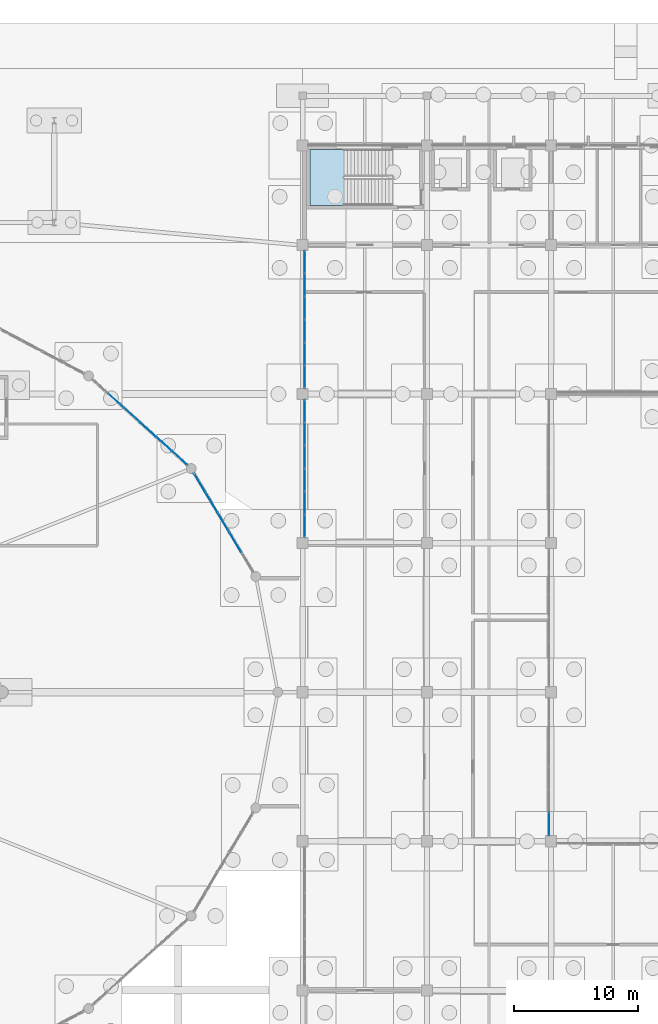
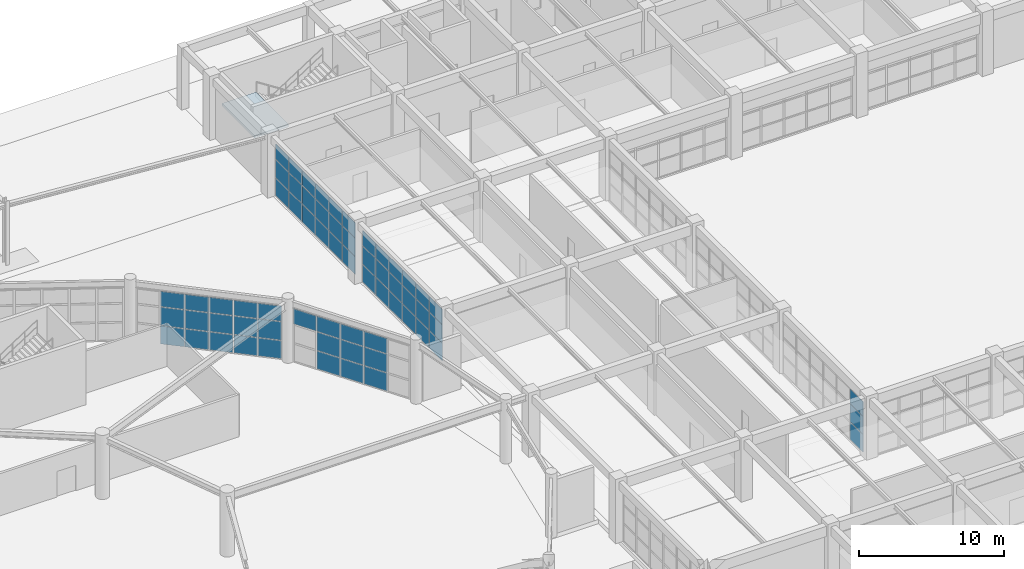
# One storey, part 70 of 99: 64 plates, 1 slab, 6 elements without a shape of their own.
"""IFC4 building model written with IfcOpenShell, lengths in metres."""

from ifc_helpers import new_model, si_unit, direction, frame, origin, origin_2d, place, context, subcontext, project, spatial, polyline, rectangle, outline, extrude, material, layer, layer_set, type_object, element, aggregate, save


model = new_model("IFC4")

# Units and contexts
model_context = context("Model", 3, precision=1e-05, world=origin(), true_north=direction((0.0, 1.0)))
body_context = subcontext(model_context, "Body", "Model", "MODEL_VIEW")
ifc_project = project(units=[si_unit("LENGTHUNIT", "METRE"), si_unit("AREAUNIT", "SQUARE_METRE"), si_unit("VOLUMEUNIT", "CUBIC_METRE"), si_unit("PLANEANGLEUNIT", "RADIAN"), si_unit("MASSUNIT", "GRAM", prefix="KILO")], contexts=[model_context])

# Site, building, storey
site_placement = place(None, origin())
site = spatial("IfcSite", under=ifc_project, at=site_placement, CompositionType="ELEMENT")
building_placement = place(site_placement, origin())
building = spatial("IfcBuilding", under=site, at=building_placement, Name="Kivolera Central Railway Station", CompositionType="ELEMENT")
storey_placement = place(building_placement, origin())
storey = spatial("IfcBuildingStorey", under=building, at=storey_placement, Name="L00", CompositionType="ELEMENT", Elevation=0.0)

# Curtain wall, plates
ifc_material_1 = material(Name="Anodised aluminium", Category="aluminium")
ifc_layer_1 = layer(ifc_material_1, 0.179931640625, Name="Anodised aluminium")
ifc_layer_set_1 = layer_set([ifc_layer_1], Name="Anodised aluminium")
curtain_wall_type_1 = type_object("IfcCurtainWallType", Name="CW-SYS-22", PredefinedType="NOTDEFINED", material=ifc_layer_set_1)
curtain_wall_1_placement = place(storey_placement, origin())
curtain_wall_1 = element("IfcCurtainWall", 1, at=curtain_wall_1_placement, inside=storey, type_object=curtain_wall_type_1, Name="L00 Curtain Wall CW-L00-CRTW-G", PredefinedType="NOTDEFINED")
ifc_material_2 = material(Name="Double low-E laminated glass", Category="glass")
ifc_layer_2 = layer(ifc_material_2, 0.02587890625, Name="Double low-E laminated glass")
ifc_layer_set_2 = layer_set([ifc_layer_2], Name="Double low-E laminated glass")
plate_type_1 = type_object("IfcPlateType", Name="CWP-GLZ-1", PredefinedType="CURTAIN_PANEL", material=ifc_layer_set_2)
plate_1_placement = place(storey_placement, frame((137.830078125, 79.3857421875, 0.0478515625), z_axis=(0.0, 0.0, 1.0), x_axis=(0.0, -1.0, 0.0)))
plate_1 = element("IfcPlate", 2, at=plate_1_placement, type_object=plate_type_1, Name="CW-22 panel 6.1", PredefinedType="CURTAIN_PANEL", context=body_context, shape_type="SweptSolid", body=[
    extrude(rectangle(XDim=1.78564453125, YDim=0.02587890625, at=origin_2d()), origin(), (0.0, 0.0, 1.0), 1.459228515625),
])
plate_2_placement = place(storey_placement, frame((137.830078125, 79.3857421875, 1.543212890625), z_axis=(0.0, 0.0, 1.0), x_axis=(0.0, -1.0, 0.0)))
plate_2 = element("IfcPlate", 3, at=plate_2_placement, type_object=plate_type_1, Name="CW-22 panel 6.2", PredefinedType="CURTAIN_PANEL", context=body_context, shape_type="SweptSolid", body=[
    extrude(rectangle(XDim=1.78564453125, YDim=0.02587890625, at=origin_2d()), origin(), (0.0, 0.0, 1.0), 1.4892578125),
])
plate_3_placement = place(storey_placement, frame((137.830078125, 79.3857421875, 3.068359375), z_axis=(0.0, 0.0, 1.0), x_axis=(0.0, -1.0, 0.0)))
plate_3 = element("IfcPlate", 4, at=plate_3_placement, type_object=plate_type_1, Name="CW-22 panel 6.3", PredefinedType="CURTAIN_PANEL", context=body_context, shape_type="SweptSolid", body=[
    extrude(rectangle(XDim=1.78564453125, YDim=0.02587890625, at=origin_2d()), origin(), (0.0, 0.0, 1.0), 1.241455078125),
])
aggregate(curtain_wall_1, [plate_1, plate_2, plate_3])

ifc_layer_3 = layer(ifc_material_1, 0.179931640625, Name="Anodised aluminium")
ifc_layer_set_3 = layer_set([ifc_layer_3], Name="Anodised aluminium")
curtain_wall_type_2 = type_object("IfcCurtainWallType", Name="CW-SYS-01", PredefinedType="NOTDEFINED", material=ifc_layer_set_3)
curtain_wall_2_placement = place(storey_placement, origin())
curtain_wall_2 = element("IfcCurtainWall", 5, at=curtain_wall_2_placement, inside=storey, type_object=curtain_wall_type_2, Name="L00 Curtain Wall CW-L00-OVL-01", PredefinedType="NOTDEFINED")
ifc_layer_4 = layer(ifc_material_2, 0.030029296875, Name="Double low-E laminated glass")
ifc_layer_set_4 = layer_set([ifc_layer_4], Name="Double low-E laminated glass")
plate_type_2 = type_object("IfcPlateType", Name="CWP-GLZ-2", PredefinedType="CURTAIN_PANEL", material=ifc_layer_set_4)
plate_4_placement = place(storey_placement, frame((109.7255859375, 106.84228515625, 3.2080078125), z_axis=(0.0, 0.0, 1.0), x_axis=(0.513453894052, -0.858117182372, 0.0)))
plate_4 = element("IfcPlate", 6, at=plate_4_placement, type_object=plate_type_2, Name="CW-01 panel 1.3", PredefinedType="CURTAIN_PANEL", context=body_context, shape_type="SweptSolid", body=[
    extrude(rectangle(XDim=1.782958984375, YDim=0.030029296875, at=origin_2d()), origin(), (0.0, 0.0, 1.0), 1.283935546875),
])
plate_5_placement = place(storey_placement, frame((110.673583984375, 105.2578125, 0.05810546875), z_axis=(0.0, 0.0, 1.0), x_axis=(0.513453894052, -0.858117182372, 0.0)))
plate_5 = element("IfcPlate", 7, at=plate_5_placement, type_object=plate_type_2, Name="CW-01 panel 2.1", PredefinedType="CURTAIN_PANEL", context=body_context, shape_type="SweptSolid", body=[
    extrude(rectangle(XDim=1.81787109375, YDim=0.030029296875, at=origin_2d()), origin(), (0.0, 0.0, 1.0), 1.511474609375),
])
plate_6_placement = place(storey_placement, frame((110.673583984375, 105.2578125, 1.615478515625), z_axis=(0.0, 0.0, 1.0), x_axis=(0.513453894052, -0.858117182372, 0.0)))
plate_6 = element("IfcPlate", 8, at=plate_6_placement, type_object=plate_type_2, Name="CW-01 panel 2.2", PredefinedType="CURTAIN_PANEL", context=body_context, shape_type="SweptSolid", body=[
    extrude(rectangle(XDim=1.81787109375, YDim=0.030029296875, at=origin_2d()), origin(), (0.0, 0.0, 1.0), 1.54638671875),
])
plate_7_placement = place(storey_placement, frame((110.673583984375, 105.2578125, 3.2080078125), z_axis=(0.0, 0.0, 1.0), x_axis=(0.513453894052, -0.858117182372, 0.0)))
plate_7 = element("IfcPlate", 9, at=plate_7_placement, type_object=plate_type_2, Name="CW-01 panel 2.3", PredefinedType="CURTAIN_PANEL", context=body_context, shape_type="SweptSolid", body=[
    extrude(rectangle(XDim=1.81787109375, YDim=0.030029296875, at=origin_2d()), origin(), (0.0, 0.0, 1.0), 1.283935546875),
])
plate_8_placement = place(storey_placement, frame((111.630615234375, 103.658447265625, 0.05810546875), z_axis=(0.0, 0.0, 1.0), x_axis=(0.513453894052, -0.858117182372, 0.0)))
plate_8 = element("IfcPlate", 10, at=plate_8_placement, type_object=plate_type_2, Name="CW-01 panel 3.1", PredefinedType="CURTAIN_PANEL", context=body_context, shape_type="SweptSolid", body=[
    extrude(rectangle(XDim=1.81787109375, YDim=0.030029296875, at=origin_2d()), origin(), (0.0, 0.0, 1.0), 1.511474609375),
])
plate_9_placement = place(storey_placement, frame((111.630615234375, 103.658447265625, 1.615478515625), z_axis=(0.0, 0.0, 1.0), x_axis=(0.513453894052, -0.858117182372, 0.0)))
plate_9 = element("IfcPlate", 11, at=plate_9_placement, type_object=plate_type_2, Name="CW-01 panel 3.2", PredefinedType="CURTAIN_PANEL", context=body_context, shape_type="SweptSolid", body=[
    extrude(rectangle(XDim=1.81787109375, YDim=0.030029296875, at=origin_2d()), origin(), (0.0, 0.0, 1.0), 1.54638671875),
])
plate_10_placement = place(storey_placement, frame((111.630615234375, 103.658447265625, 3.2080078125), z_axis=(0.0, 0.0, 1.0), x_axis=(0.513453894052, -0.858117182372, 0.0)))
plate_10 = element("IfcPlate", 12, at=plate_10_placement, type_object=plate_type_2, Name="CW-01 panel 3.3", PredefinedType="CURTAIN_PANEL", context=body_context, shape_type="SweptSolid", body=[
    extrude(rectangle(XDim=1.81787109375, YDim=0.030029296875, at=origin_2d()), origin(), (0.0, 0.0, 1.0), 1.283935546875),
])
plate_11_placement = place(storey_placement, frame((112.58740234375, 102.05908203125, 0.05810546875), z_axis=(0.0, 0.0, 1.0), x_axis=(0.513453894052, -0.858117182372, 0.0)))
plate_11 = element("IfcPlate", 13, at=plate_11_placement, type_object=plate_type_2, Name="CW-01 panel 4.1", PredefinedType="CURTAIN_PANEL", context=body_context, shape_type="SweptSolid", body=[
    extrude(rectangle(XDim=1.81787109375, YDim=0.030029296875, at=origin_2d()), origin(), (0.0, 0.0, 1.0), 1.511474609375),
])
plate_12_placement = place(storey_placement, frame((112.58740234375, 102.05908203125, 1.615478515625), z_axis=(0.0, 0.0, 1.0), x_axis=(0.513453894052, -0.858117182372, 0.0)))
plate_12 = element("IfcPlate", 14, at=plate_12_placement, type_object=plate_type_2, Name="CW-01 panel 4.2", PredefinedType="CURTAIN_PANEL", context=body_context, shape_type="SweptSolid", body=[
    extrude(rectangle(XDim=1.81787109375, YDim=0.030029296875, at=origin_2d()), origin(), (0.0, 0.0, 1.0), 1.54638671875),
])
plate_13_placement = place(storey_placement, frame((112.58740234375, 102.05908203125, 3.2080078125), z_axis=(0.0, 0.0, 1.0), x_axis=(0.513453894052, -0.858117182372, 0.0)))
plate_13 = element("IfcPlate", 15, at=plate_13_placement, type_object=plate_type_2, Name="CW-01 panel 4.3", PredefinedType="CURTAIN_PANEL", context=body_context, shape_type="SweptSolid", body=[
    extrude(rectangle(XDim=1.81787109375, YDim=0.030029296875, at=origin_2d()), origin(), (0.0, 0.0, 1.0), 1.283935546875),
])
aggregate(curtain_wall_2, [plate_4, plate_5, plate_6, plate_7, plate_8, plate_9, plate_10, plate_11, plate_12, plate_13])

ifc_layer_5 = layer(ifc_material_1, 0.179931640625, Name="Anodised aluminium")
ifc_layer_set_5 = layer_set([ifc_layer_5], Name="Anodised aluminium")
curtain_wall_type_3 = type_object("IfcCurtainWallType", Name="CW-SYS-23", PredefinedType="NOTDEFINED", material=ifc_layer_set_5)
curtain_wall_3_placement = place(storey_placement, origin())
curtain_wall_3 = element("IfcCurtainWall", 16, at=curtain_wall_3_placement, inside=storey, type_object=curtain_wall_type_3, Name="L00 Curtain Wall CW-L00-WEST-J", PredefinedType="NOTDEFINED")
plate_14_placement = place(storey_placement, frame((118.169921875, 103.388427734375, 0.05810546875), z_axis=(0.0, 0.0, 1.0), x_axis=(0.0, 1.0, 0.0)))
plate_14 = element("IfcPlate", 17, at=plate_14_placement, type_object=plate_type_2, Name="CW-23 panel 1.1", PredefinedType="CURTAIN_PANEL", context=body_context, shape_type="SweptSolid", body=[
    extrude(rectangle(XDim=1.770751953125, YDim=0.030029296875, at=origin_2d()), origin(), (0.0, 0.0, 1.0), 1.479248046875),
])
plate_15_placement = place(storey_placement, frame((118.169921875, 103.388427734375, 1.5830078125), z_axis=(0.0, 0.0, 1.0), x_axis=(0.0, 1.0, 0.0)))
plate_15 = element("IfcPlate", 18, at=plate_15_placement, type_object=plate_type_2, Name="CW-23 panel 1.2", PredefinedType="CURTAIN_PANEL", context=body_context, shape_type="SweptSolid", body=[
    extrude(rectangle(XDim=1.770751953125, YDim=0.030029296875, at=origin_2d()), origin(), (0.0, 0.0, 1.0), 1.514404296875),
])
plate_16_placement = place(storey_placement, frame((118.169921875, 103.388427734375, 3.1435546875), z_axis=(0.0, 0.0, 1.0), x_axis=(0.0, 1.0, 0.0)))
plate_16 = element("IfcPlate", 19, at=plate_16_placement, type_object=plate_type_2, Name="CW-23 panel 1.3", PredefinedType="CURTAIN_PANEL", context=body_context, shape_type="SweptSolid", body=[
    extrude(rectangle(XDim=1.770751953125, YDim=0.030029296875, at=origin_2d()), origin(), (0.0, 0.0, 1.0), 1.25634765625),
])
plate_17_placement = place(storey_placement, frame((118.169921875, 105.222412109375, 0.05810546875), z_axis=(0.0, 0.0, 1.0), x_axis=(0.0, 1.0, 0.0)))
plate_17 = element("IfcPlate", 20, at=plate_17_placement, type_object=plate_type_2, Name="CW-23 panel 2.1", PredefinedType="CURTAIN_PANEL", context=body_context, shape_type="SweptSolid", body=[
    extrude(rectangle(XDim=1.8056640625, YDim=0.030029296875, at=origin_2d()), origin(), (0.0, 0.0, 1.0), 1.479248046875),
])
plate_18_placement = place(storey_placement, frame((118.169921875, 105.222412109375, 1.5830078125), z_axis=(0.0, 0.0, 1.0), x_axis=(0.0, 1.0, 0.0)))
plate_18 = element("IfcPlate", 21, at=plate_18_placement, type_object=plate_type_2, Name="CW-23 panel 2.2", PredefinedType="CURTAIN_PANEL", context=body_context, shape_type="SweptSolid", body=[
    extrude(rectangle(XDim=1.8056640625, YDim=0.030029296875, at=origin_2d()), origin(), (0.0, 0.0, 1.0), 1.514404296875),
])
plate_19_placement = place(storey_placement, frame((118.169921875, 105.222412109375, 3.1435546875), z_axis=(0.0, 0.0, 1.0), x_axis=(0.0, 1.0, 0.0)))
plate_19 = element("IfcPlate", 22, at=plate_19_placement, type_object=plate_type_2, Name="CW-23 panel 2.3", PredefinedType="CURTAIN_PANEL", context=body_context, shape_type="SweptSolid", body=[
    extrude(rectangle(XDim=1.8056640625, YDim=0.030029296875, at=origin_2d()), origin(), (0.0, 0.0, 1.0), 1.25634765625),
])
plate_20_placement = place(storey_placement, frame((118.169921875, 107.07421875, 0.05810546875), z_axis=(0.0, 0.0, 1.0), x_axis=(0.0, 1.0, 0.0)))
plate_20 = element("IfcPlate", 23, at=plate_20_placement, type_object=plate_type_2, Name="CW-23 panel 3.1", PredefinedType="CURTAIN_PANEL", context=body_context, shape_type="SweptSolid", body=[
    extrude(rectangle(XDim=1.8056640625, YDim=0.030029296875, at=origin_2d()), origin(), (0.0, 0.0, 1.0), 1.479248046875),
])
plate_21_placement = place(storey_placement, frame((118.169921875, 107.07421875, 1.5830078125), z_axis=(0.0, 0.0, 1.0), x_axis=(0.0, 1.0, 0.0)))
plate_21 = element("IfcPlate", 24, at=plate_21_placement, type_object=plate_type_2, Name="CW-23 panel 3.2", PredefinedType="CURTAIN_PANEL", context=body_context, shape_type="SweptSolid", body=[
    extrude(rectangle(XDim=1.8056640625, YDim=0.030029296875, at=origin_2d()), origin(), (0.0, 0.0, 1.0), 1.514404296875),
])
plate_22_placement = place(storey_placement, frame((118.169921875, 107.07421875, 3.1435546875), z_axis=(0.0, 0.0, 1.0), x_axis=(0.0, 1.0, 0.0)))
plate_22 = element("IfcPlate", 25, at=plate_22_placement, type_object=plate_type_2, Name="CW-23 panel 3.3", PredefinedType="CURTAIN_PANEL", context=body_context, shape_type="SweptSolid", body=[
    extrude(rectangle(XDim=1.8056640625, YDim=0.030029296875, at=origin_2d()), origin(), (0.0, 0.0, 1.0), 1.25634765625),
])
plate_23_placement = place(storey_placement, frame((118.169921875, 108.92578125, 0.05810546875), z_axis=(0.0, 0.0, 1.0), x_axis=(0.0, 1.0, 0.0)))
plate_23 = element("IfcPlate", 26, at=plate_23_placement, type_object=plate_type_2, Name="CW-23 panel 4.1", PredefinedType="CURTAIN_PANEL", context=body_context, shape_type="SweptSolid", body=[
    extrude(rectangle(XDim=1.8056640625, YDim=0.030029296875, at=origin_2d()), origin(), (0.0, 0.0, 1.0), 1.479248046875),
])
plate_24_placement = place(storey_placement, frame((118.169921875, 108.92578125, 1.5830078125), z_axis=(0.0, 0.0, 1.0), x_axis=(0.0, 1.0, 0.0)))
plate_24 = element("IfcPlate", 27, at=plate_24_placement, type_object=plate_type_2, Name="CW-23 panel 4.2", PredefinedType="CURTAIN_PANEL", context=body_context, shape_type="SweptSolid", body=[
    extrude(rectangle(XDim=1.8056640625, YDim=0.030029296875, at=origin_2d()), origin(), (0.0, 0.0, 1.0), 1.514404296875),
])
plate_25_placement = place(storey_placement, frame((118.169921875, 108.92578125, 3.1435546875), z_axis=(0.0, 0.0, 1.0), x_axis=(0.0, 1.0, 0.0)))
plate_25 = element("IfcPlate", 28, at=plate_25_placement, type_object=plate_type_2, Name="CW-23 panel 4.3", PredefinedType="CURTAIN_PANEL", context=body_context, shape_type="SweptSolid", body=[
    extrude(rectangle(XDim=1.8056640625, YDim=0.030029296875, at=origin_2d()), origin(), (0.0, 0.0, 1.0), 1.25634765625),
])
plate_26_placement = place(storey_placement, frame((118.169921875, 110.777587890625, 0.05810546875), z_axis=(0.0, 0.0, 1.0), x_axis=(0.0, 1.0, 0.0)))
plate_26 = element("IfcPlate", 29, at=plate_26_placement, type_object=plate_type_2, Name="CW-23 panel 5.1", PredefinedType="CURTAIN_PANEL", context=body_context, shape_type="SweptSolid", body=[
    extrude(rectangle(XDim=1.8056640625, YDim=0.030029296875, at=origin_2d()), origin(), (0.0, 0.0, 1.0), 1.479248046875),
])
plate_27_placement = place(storey_placement, frame((118.169921875, 110.777587890625, 1.5830078125), z_axis=(0.0, 0.0, 1.0), x_axis=(0.0, 1.0, 0.0)))
plate_27 = element("IfcPlate", 30, at=plate_27_placement, type_object=plate_type_2, Name="CW-23 panel 5.2", PredefinedType="CURTAIN_PANEL", context=body_context, shape_type="SweptSolid", body=[
    extrude(rectangle(XDim=1.8056640625, YDim=0.030029296875, at=origin_2d()), origin(), (0.0, 0.0, 1.0), 1.514404296875),
])
plate_28_placement = place(storey_placement, frame((118.169921875, 110.777587890625, 3.1435546875), z_axis=(0.0, 0.0, 1.0), x_axis=(0.0, 1.0, 0.0)))
plate_28 = element("IfcPlate", 31, at=plate_28_placement, type_object=plate_type_2, Name="CW-23 panel 5.3", PredefinedType="CURTAIN_PANEL", context=body_context, shape_type="SweptSolid", body=[
    extrude(rectangle(XDim=1.8056640625, YDim=0.030029296875, at=origin_2d()), origin(), (0.0, 0.0, 1.0), 1.25634765625),
])
plate_29_placement = place(storey_placement, frame((118.169921875, 112.611572265625, 0.05810546875), z_axis=(0.0, 0.0, 1.0), x_axis=(0.0, 1.0, 0.0)))
plate_29 = element("IfcPlate", 32, at=plate_29_placement, type_object=plate_type_2, Name="CW-23 panel 6.1", PredefinedType="CURTAIN_PANEL", context=body_context, shape_type="SweptSolid", body=[
    extrude(rectangle(XDim=1.770751953125, YDim=0.030029296875, at=origin_2d()), origin(), (0.0, 0.0, 1.0), 1.479248046875),
])
plate_30_placement = place(storey_placement, frame((118.169921875, 112.611572265625, 1.5830078125), z_axis=(0.0, 0.0, 1.0), x_axis=(0.0, 1.0, 0.0)))
plate_30 = element("IfcPlate", 33, at=plate_30_placement, type_object=plate_type_2, Name="CW-23 panel 6.2", PredefinedType="CURTAIN_PANEL", context=body_context, shape_type="SweptSolid", body=[
    extrude(rectangle(XDim=1.770751953125, YDim=0.030029296875, at=origin_2d()), origin(), (0.0, 0.0, 1.0), 1.514404296875),
])
plate_31_placement = place(storey_placement, frame((118.169921875, 112.611572265625, 3.1435546875), z_axis=(0.0, 0.0, 1.0), x_axis=(0.0, 1.0, 0.0)))
plate_31 = element("IfcPlate", 34, at=plate_31_placement, type_object=plate_type_2, Name="CW-23 panel 6.3", PredefinedType="CURTAIN_PANEL", context=body_context, shape_type="SweptSolid", body=[
    extrude(rectangle(XDim=1.770751953125, YDim=0.030029296875, at=origin_2d()), origin(), (0.0, 0.0, 1.0), 1.25634765625),
])
aggregate(curtain_wall_3, [plate_14, plate_15, plate_16, plate_17, plate_18, plate_19, plate_20, plate_21, plate_22, plate_23, plate_24, plate_25, plate_26, plate_27, plate_28, plate_29, plate_30, plate_31])

curtain_wall_4_placement = place(storey_placement, origin())
curtain_wall_4 = element("IfcCurtainWall", 35, at=curtain_wall_4_placement, inside=storey, type_object=curtain_wall_type_3, Name="L00 Curtain Wall CW-L00-WEST-K", PredefinedType="NOTDEFINED")
plate_32_placement = place(storey_placement, frame((118.169921875, 115.388427734375, 0.05810546875), z_axis=(0.0, 0.0, 1.0), x_axis=(0.0, 1.0, 0.0)))
plate_32 = element("IfcPlate", 36, at=plate_32_placement, type_object=plate_type_2, Name="CW-23 panel 1.1", PredefinedType="CURTAIN_PANEL", context=body_context, shape_type="SweptSolid", body=[
    extrude(rectangle(XDim=1.770751953125, YDim=0.030029296875, at=origin_2d()), origin(), (0.0, 0.0, 1.0), 1.479248046875),
])
plate_33_placement = place(storey_placement, frame((118.169921875, 115.388427734375, 1.5830078125), z_axis=(0.0, 0.0, 1.0), x_axis=(0.0, 1.0, 0.0)))
plate_33 = element("IfcPlate", 37, at=plate_33_placement, type_object=plate_type_2, Name="CW-23 panel 1.2", PredefinedType="CURTAIN_PANEL", context=body_context, shape_type="SweptSolid", body=[
    extrude(rectangle(XDim=1.770751953125, YDim=0.030029296875, at=origin_2d()), origin(), (0.0, 0.0, 1.0), 1.514404296875),
])
plate_34_placement = place(storey_placement, frame((118.169921875, 115.388427734375, 3.1435546875), z_axis=(0.0, 0.0, 1.0), x_axis=(0.0, 1.0, 0.0)))
plate_34 = element("IfcPlate", 38, at=plate_34_placement, type_object=plate_type_2, Name="CW-23 panel 1.3", PredefinedType="CURTAIN_PANEL", context=body_context, shape_type="SweptSolid", body=[
    extrude(rectangle(XDim=1.770751953125, YDim=0.030029296875, at=origin_2d()), origin(), (0.0, 0.0, 1.0), 1.25634765625),
])
plate_35_placement = place(storey_placement, frame((118.169921875, 117.222412109375, 0.05810546875), z_axis=(0.0, 0.0, 1.0), x_axis=(0.0, 1.0, 0.0)))
plate_35 = element("IfcPlate", 39, at=plate_35_placement, type_object=plate_type_2, Name="CW-23 panel 2.1", PredefinedType="CURTAIN_PANEL", context=body_context, shape_type="SweptSolid", body=[
    extrude(rectangle(XDim=1.8056640625, YDim=0.030029296875, at=origin_2d()), origin(), (0.0, 0.0, 1.0), 1.479248046875),
])
plate_36_placement = place(storey_placement, frame((118.169921875, 117.222412109375, 1.5830078125), z_axis=(0.0, 0.0, 1.0), x_axis=(0.0, 1.0, 0.0)))
plate_36 = element("IfcPlate", 40, at=plate_36_placement, type_object=plate_type_2, Name="CW-23 panel 2.2", PredefinedType="CURTAIN_PANEL", context=body_context, shape_type="SweptSolid", body=[
    extrude(rectangle(XDim=1.8056640625, YDim=0.030029296875, at=origin_2d()), origin(), (0.0, 0.0, 1.0), 1.514404296875),
])
plate_37_placement = place(storey_placement, frame((118.169921875, 117.222412109375, 3.1435546875), z_axis=(0.0, 0.0, 1.0), x_axis=(0.0, 1.0, 0.0)))
plate_37 = element("IfcPlate", 41, at=plate_37_placement, type_object=plate_type_2, Name="CW-23 panel 2.3", PredefinedType="CURTAIN_PANEL", context=body_context, shape_type="SweptSolid", body=[
    extrude(rectangle(XDim=1.8056640625, YDim=0.030029296875, at=origin_2d()), origin(), (0.0, 0.0, 1.0), 1.25634765625),
])
plate_38_placement = place(storey_placement, frame((118.169921875, 119.07421875, 0.05810546875), z_axis=(0.0, 0.0, 1.0), x_axis=(0.0, 1.0, 0.0)))
plate_38 = element("IfcPlate", 42, at=plate_38_placement, type_object=plate_type_2, Name="CW-23 panel 3.1", PredefinedType="CURTAIN_PANEL", context=body_context, shape_type="SweptSolid", body=[
    extrude(rectangle(XDim=1.8056640625, YDim=0.030029296875, at=origin_2d()), origin(), (0.0, 0.0, 1.0), 1.479248046875),
])
plate_39_placement = place(storey_placement, frame((118.169921875, 119.07421875, 1.5830078125), z_axis=(0.0, 0.0, 1.0), x_axis=(0.0, 1.0, 0.0)))
plate_39 = element("IfcPlate", 43, at=plate_39_placement, type_object=plate_type_2, Name="CW-23 panel 3.2", PredefinedType="CURTAIN_PANEL", context=body_context, shape_type="SweptSolid", body=[
    extrude(rectangle(XDim=1.8056640625, YDim=0.030029296875, at=origin_2d()), origin(), (0.0, 0.0, 1.0), 1.514404296875),
])
plate_40_placement = place(storey_placement, frame((118.169921875, 119.07421875, 3.1435546875), z_axis=(0.0, 0.0, 1.0), x_axis=(0.0, 1.0, 0.0)))
plate_40 = element("IfcPlate", 44, at=plate_40_placement, type_object=plate_type_2, Name="CW-23 panel 3.3", PredefinedType="CURTAIN_PANEL", context=body_context, shape_type="SweptSolid", body=[
    extrude(rectangle(XDim=1.8056640625, YDim=0.030029296875, at=origin_2d()), origin(), (0.0, 0.0, 1.0), 1.25634765625),
])
plate_41_placement = place(storey_placement, frame((118.169921875, 120.92578125, 0.05810546875), z_axis=(0.0, 0.0, 1.0), x_axis=(0.0, 1.0, 0.0)))
plate_41 = element("IfcPlate", 45, at=plate_41_placement, type_object=plate_type_2, Name="CW-23 panel 4.1", PredefinedType="CURTAIN_PANEL", context=body_context, shape_type="SweptSolid", body=[
    extrude(rectangle(XDim=1.8056640625, YDim=0.030029296875, at=origin_2d()), origin(), (0.0, 0.0, 1.0), 1.479248046875),
])
plate_42_placement = place(storey_placement, frame((118.169921875, 120.92578125, 1.5830078125), z_axis=(0.0, 0.0, 1.0), x_axis=(0.0, 1.0, 0.0)))
plate_42 = element("IfcPlate", 46, at=plate_42_placement, type_object=plate_type_2, Name="CW-23 panel 4.2", PredefinedType="CURTAIN_PANEL", context=body_context, shape_type="SweptSolid", body=[
    extrude(rectangle(XDim=1.8056640625, YDim=0.030029296875, at=origin_2d()), origin(), (0.0, 0.0, 1.0), 1.514404296875),
])
plate_43_placement = place(storey_placement, frame((118.169921875, 120.92578125, 3.1435546875), z_axis=(0.0, 0.0, 1.0), x_axis=(0.0, 1.0, 0.0)))
plate_43 = element("IfcPlate", 47, at=plate_43_placement, type_object=plate_type_2, Name="CW-23 panel 4.3", PredefinedType="CURTAIN_PANEL", context=body_context, shape_type="SweptSolid", body=[
    extrude(rectangle(XDim=1.8056640625, YDim=0.030029296875, at=origin_2d()), origin(), (0.0, 0.0, 1.0), 1.25634765625),
])
plate_44_placement = place(storey_placement, frame((118.169921875, 122.777587890625, 0.05810546875), z_axis=(0.0, 0.0, 1.0), x_axis=(0.0, 1.0, 0.0)))
plate_44 = element("IfcPlate", 48, at=plate_44_placement, type_object=plate_type_2, Name="CW-23 panel 5.1", PredefinedType="CURTAIN_PANEL", context=body_context, shape_type="SweptSolid", body=[
    extrude(rectangle(XDim=1.8056640625, YDim=0.030029296875, at=origin_2d()), origin(), (0.0, 0.0, 1.0), 1.479248046875),
])
plate_45_placement = place(storey_placement, frame((118.169921875, 122.777587890625, 1.5830078125), z_axis=(0.0, 0.0, 1.0), x_axis=(0.0, 1.0, 0.0)))
plate_45 = element("IfcPlate", 49, at=plate_45_placement, type_object=plate_type_2, Name="CW-23 panel 5.2", PredefinedType="CURTAIN_PANEL", context=body_context, shape_type="SweptSolid", body=[
    extrude(rectangle(XDim=1.8056640625, YDim=0.030029296875, at=origin_2d()), origin(), (0.0, 0.0, 1.0), 1.514404296875),
])
plate_46_placement = place(storey_placement, frame((118.169921875, 122.777587890625, 3.1435546875), z_axis=(0.0, 0.0, 1.0), x_axis=(0.0, 1.0, 0.0)))
plate_46 = element("IfcPlate", 50, at=plate_46_placement, type_object=plate_type_2, Name="CW-23 panel 5.3", PredefinedType="CURTAIN_PANEL", context=body_context, shape_type="SweptSolid", body=[
    extrude(rectangle(XDim=1.8056640625, YDim=0.030029296875, at=origin_2d()), origin(), (0.0, 0.0, 1.0), 1.25634765625),
])
plate_47_placement = place(storey_placement, frame((118.169921875, 124.611572265625, 0.05810546875), z_axis=(0.0, 0.0, 1.0), x_axis=(0.0, 1.0, 0.0)))
plate_47 = element("IfcPlate", 51, at=plate_47_placement, type_object=plate_type_2, Name="CW-23 panel 6.1", PredefinedType="CURTAIN_PANEL", context=body_context, shape_type="SweptSolid", body=[
    extrude(rectangle(XDim=1.770751953125, YDim=0.030029296875, at=origin_2d()), origin(), (0.0, 0.0, 1.0), 1.479248046875),
])
plate_48_placement = place(storey_placement, frame((118.169921875, 124.611572265625, 1.5830078125), z_axis=(0.0, 0.0, 1.0), x_axis=(0.0, 1.0, 0.0)))
plate_48 = element("IfcPlate", 52, at=plate_48_placement, type_object=plate_type_2, Name="CW-23 panel 6.2", PredefinedType="CURTAIN_PANEL", context=body_context, shape_type="SweptSolid", body=[
    extrude(rectangle(XDim=1.770751953125, YDim=0.030029296875, at=origin_2d()), origin(), (0.0, 0.0, 1.0), 1.514404296875),
])
plate_49_placement = place(storey_placement, frame((118.169921875, 124.611572265625, 3.1435546875), z_axis=(0.0, 0.0, 1.0), x_axis=(0.0, 1.0, 0.0)))
plate_49 = element("IfcPlate", 53, at=plate_49_placement, type_object=plate_type_2, Name="CW-23 panel 6.3", PredefinedType="CURTAIN_PANEL", context=body_context, shape_type="SweptSolid", body=[
    extrude(rectangle(XDim=1.770751953125, YDim=0.030029296875, at=origin_2d()), origin(), (0.0, 0.0, 1.0), 1.25634765625),
])
aggregate(curtain_wall_4, [plate_32, plate_33, plate_34, plate_35, plate_36, plate_37, plate_38, plate_39, plate_40, plate_41, plate_42, plate_43, plate_44, plate_45, plate_46, plate_47, plate_48, plate_49])

ifc_layer_6 = layer(ifc_material_1, 0.179931640625, Name="Anodised aluminium")
ifc_layer_set_6 = layer_set([ifc_layer_6], Name="Anodised aluminium")
curtain_wall_type_4 = type_object("IfcCurtainWallType", Name="CW-SYS-04", PredefinedType="NOTDEFINED", material=ifc_layer_set_6)
curtain_wall_5_placement = place(storey_placement, origin())
curtain_wall_5 = element("IfcCurtainWall", 54, at=curtain_wall_5_placement, inside=storey, type_object=curtain_wall_type_4, Name="L00 Curtain Wall CW-L00-OVL-02", PredefinedType="NOTDEFINED")
ifc_layer_7 = layer(ifc_material_2, 0.033935546875, Name="Double low-E laminated glass")
ifc_layer_set_7 = layer_set([ifc_layer_7], Name="Double low-E laminated glass")
plate_type_3 = type_object("IfcPlateType", Name="CWP-GLZ-3", PredefinedType="CURTAIN_PANEL", material=ifc_layer_set_7)
plate_50_placement = place(storey_placement, frame((102.984130859375, 113.4580078125, 0.05810546875), z_axis=(0.0, 0.0, 1.0), x_axis=(0.742431873669, -0.669921572246, 0.0)))
plate_50 = element("IfcPlate", 55, at=plate_50_placement, type_object=plate_type_3, Name="CW-04 panel 2.1", PredefinedType="CURTAIN_PANEL", context=body_context, shape_type="SweptSolid", body=[
    extrude(rectangle(XDim=1.675537109375, YDim=0.033935546875, at=origin_2d()), origin(), (0.0, 0.0, 1.0), 1.511474609375),
])
plate_51_placement = place(storey_placement, frame((102.984130859375, 113.4580078125, 1.615478515625), z_axis=(0.0, 0.0, 1.0), x_axis=(0.742431873669, -0.669921572246, 0.0)))
plate_51 = element("IfcPlate", 56, at=plate_51_placement, type_object=plate_type_3, Name="CW-04 panel 2.2", PredefinedType="CURTAIN_PANEL", context=body_context, shape_type="SweptSolid", body=[
    extrude(rectangle(XDim=1.675537109375, YDim=0.033935546875, at=origin_2d()), origin(), (0.0, 0.0, 1.0), 1.54638671875),
])
plate_52_placement = place(storey_placement, frame((102.984130859375, 113.4580078125, 3.2080078125), z_axis=(0.0, 0.0, 1.0), x_axis=(0.742431873669, -0.669921572246, 0.0)))
plate_52 = element("IfcPlate", 57, at=plate_52_placement, type_object=plate_type_3, Name="CW-04 panel 2.3", PredefinedType="CURTAIN_PANEL", context=body_context, shape_type="SweptSolid", body=[
    extrude(rectangle(XDim=1.675537109375, YDim=0.033935546875, at=origin_2d()), origin(), (0.0, 0.0, 1.0), 1.283935546875),
])
plate_53_placement = place(storey_placement, frame((104.262451171875, 112.3046875, 0.05810546875), z_axis=(0.0, 0.0, 1.0), x_axis=(0.742431873669, -0.669921572246, 0.0)))
plate_53 = element("IfcPlate", 58, at=plate_53_placement, type_object=plate_type_3, Name="CW-04 panel 3.1", PredefinedType="CURTAIN_PANEL", context=body_context, shape_type="SweptSolid", body=[
    extrude(rectangle(XDim=1.675537109375, YDim=0.033935546875, at=origin_2d()), origin(), (0.0, 0.0, 1.0), 1.511474609375),
])
plate_54_placement = place(storey_placement, frame((104.262451171875, 112.3046875, 1.615478515625), z_axis=(0.0, 0.0, 1.0), x_axis=(0.742431873669, -0.669921572246, 0.0)))
plate_54 = element("IfcPlate", 59, at=plate_54_placement, type_object=plate_type_3, Name="CW-04 panel 3.2", PredefinedType="CURTAIN_PANEL", context=body_context, shape_type="SweptSolid", body=[
    extrude(rectangle(XDim=1.675537109375, YDim=0.033935546875, at=origin_2d()), origin(), (0.0, 0.0, 1.0), 1.54638671875),
])
plate_55_placement = place(storey_placement, frame((104.262451171875, 112.3046875, 3.2080078125), z_axis=(0.0, 0.0, 1.0), x_axis=(0.742431873669, -0.669921572246, 0.0)))
plate_55 = element("IfcPlate", 60, at=plate_55_placement, type_object=plate_type_3, Name="CW-04 panel 3.3", PredefinedType="CURTAIN_PANEL", context=body_context, shape_type="SweptSolid", body=[
    extrude(rectangle(XDim=1.675537109375, YDim=0.033935546875, at=origin_2d()), origin(), (0.0, 0.0, 1.0), 1.283935546875),
])
plate_56_placement = place(storey_placement, frame((105.54052734375, 111.1513671875, 0.05810546875), z_axis=(0.0, 0.0, 1.0), x_axis=(0.742431873669, -0.669921572246, 0.0)))
plate_56 = element("IfcPlate", 61, at=plate_56_placement, type_object=plate_type_3, Name="CW-04 panel 4.1", PredefinedType="CURTAIN_PANEL", context=body_context, shape_type="SweptSolid", body=[
    extrude(rectangle(XDim=1.675537109375, YDim=0.033935546875, at=origin_2d()), origin(), (0.0, 0.0, 1.0), 1.511474609375),
])
plate_57_placement = place(storey_placement, frame((105.54052734375, 111.1513671875, 1.615478515625), z_axis=(0.0, 0.0, 1.0), x_axis=(0.742431873669, -0.669921572246, 0.0)))
plate_57 = element("IfcPlate", 62, at=plate_57_placement, type_object=plate_type_3, Name="CW-04 panel 4.2", PredefinedType="CURTAIN_PANEL", context=body_context, shape_type="SweptSolid", body=[
    extrude(rectangle(XDim=1.675537109375, YDim=0.033935546875, at=origin_2d()), origin(), (0.0, 0.0, 1.0), 1.54638671875),
])
plate_58_placement = place(storey_placement, frame((105.54052734375, 111.1513671875, 3.2080078125), z_axis=(0.0, 0.0, 1.0), x_axis=(0.742431873669, -0.669921572246, 0.0)))
plate_58 = element("IfcPlate", 63, at=plate_58_placement, type_object=plate_type_3, Name="CW-04 panel 4.3", PredefinedType="CURTAIN_PANEL", context=body_context, shape_type="SweptSolid", body=[
    extrude(rectangle(XDim=1.675537109375, YDim=0.033935546875, at=origin_2d()), origin(), (0.0, 0.0, 1.0), 1.283935546875),
])
plate_59_placement = place(storey_placement, frame((106.81884765625, 109.998046875, 0.05810546875), z_axis=(0.0, 0.0, 1.0), x_axis=(0.742431873669, -0.669921572246, 0.0)))
plate_59 = element("IfcPlate", 64, at=plate_59_placement, type_object=plate_type_3, Name="CW-04 panel 5.1", PredefinedType="CURTAIN_PANEL", context=body_context, shape_type="SweptSolid", body=[
    extrude(rectangle(XDim=1.675537109375, YDim=0.033935546875, at=origin_2d()), origin(), (0.0, 0.0, 1.0), 1.511474609375),
])
plate_60_placement = place(storey_placement, frame((106.81884765625, 109.998046875, 1.615478515625), z_axis=(0.0, 0.0, 1.0), x_axis=(0.742431873669, -0.669921572246, 0.0)))
plate_60 = element("IfcPlate", 65, at=plate_60_placement, type_object=plate_type_3, Name="CW-04 panel 5.2", PredefinedType="CURTAIN_PANEL", context=body_context, shape_type="SweptSolid", body=[
    extrude(rectangle(XDim=1.675537109375, YDim=0.033935546875, at=origin_2d()), origin(), (0.0, 0.0, 1.0), 1.54638671875),
])
plate_61_placement = place(storey_placement, frame((106.81884765625, 109.998046875, 3.2080078125), z_axis=(0.0, 0.0, 1.0), x_axis=(0.742431873669, -0.669921572246, 0.0)))
plate_61 = element("IfcPlate", 66, at=plate_61_placement, type_object=plate_type_3, Name="CW-04 panel 5.3", PredefinedType="CURTAIN_PANEL", context=body_context, shape_type="SweptSolid", body=[
    extrude(rectangle(XDim=1.675537109375, YDim=0.033935546875, at=origin_2d()), origin(), (0.0, 0.0, 1.0), 1.283935546875),
])
plate_62_placement = place(storey_placement, frame((108.083984375, 108.8564453125, 0.05810546875), z_axis=(0.0, 0.0, 1.0), x_axis=(0.742431873669, -0.669921572246, 0.0)))
plate_62 = element("IfcPlate", 67, at=plate_62_placement, type_object=plate_type_3, Name="CW-04 panel 6.1", PredefinedType="CURTAIN_PANEL", context=body_context, shape_type="SweptSolid", body=[
    extrude(rectangle(XDim=1.640625, YDim=0.033935546875, at=origin_2d()), origin(), (0.0, 0.0, 1.0), 1.511474609375),
])
plate_63_placement = place(storey_placement, frame((108.083984375, 108.8564453125, 1.615478515625), z_axis=(0.0, 0.0, 1.0), x_axis=(0.742431873669, -0.669921572246, 0.0)))
plate_63 = element("IfcPlate", 68, at=plate_63_placement, type_object=plate_type_3, Name="CW-04 panel 6.2", PredefinedType="CURTAIN_PANEL", context=body_context, shape_type="SweptSolid", body=[
    extrude(rectangle(XDim=1.640625, YDim=0.033935546875, at=origin_2d()), origin(), (0.0, 0.0, 1.0), 1.54638671875),
])
plate_64_placement = place(storey_placement, frame((108.083984375, 108.8564453125, 3.2080078125), z_axis=(0.0, 0.0, 1.0), x_axis=(0.742431873669, -0.669921572246, 0.0)))
plate_64 = element("IfcPlate", 69, at=plate_64_placement, type_object=plate_type_3, Name="CW-04 panel 6.3", PredefinedType="CURTAIN_PANEL", context=body_context, shape_type="SweptSolid", body=[
    extrude(rectangle(XDim=1.640625, YDim=0.033935546875, at=origin_2d()), origin(), (0.0, 0.0, 1.0), 1.283935546875),
])
aggregate(curtain_wall_5, [plate_50, plate_51, plate_52, plate_53, plate_54, plate_55, plate_56, plate_57, plate_58, plate_59, plate_60, plate_61, plate_62, plate_63, plate_64])

# Stair, slab
ifc_material_3 = material(Name="Concrete C40/50", Category="concrete")
stair_type = type_object("IfcStairType", Name="STR-2160-30", PredefinedType="HALF_TURN_STAIR", material=ifc_material_3)
stair_placement = place(storey_placement, origin())
stair = element("IfcStair", 70, at=stair_placement, inside=storey, type_object=stair_type, Name="L00 Protected Exit Stair ST1", PredefinedType="HALF_TURN_STAIR")
ifc_layer_8 = layer(ifc_material_3, 0.199951171875, Name="Concrete C40/50")
ifc_layer_set_8 = layer_set([ifc_layer_8], Name="Concrete C40/50")
slab_type = type_object("IfcSlabType", Name="SLB-LND-200", PredefinedType="LANDING", material=ifc_layer_set_8)
slab_placement = place(storey_placement, frame((0.0, 0.0, 2.5)))
slab = element("IfcSlab", 71, at=slab_placement, type_object=slab_type, Name="ST1 landing 1", PredefinedType="LANDING", context=body_context, shape_type="SweptSolid", body=[
    extrude(outline(polyline([(121.320068359375, 133.679931640625), (118.60009765625, 133.679931640625), (118.60009765625, 129.179931640625), (121.320068359375, 129.179931640625), (121.320068359375, 133.679931640625)])), origin(), (0.0, 0.0, 1.0), 0.199951171875),
])
aggregate(stair, [slab])

save(model, "model.ifc")
